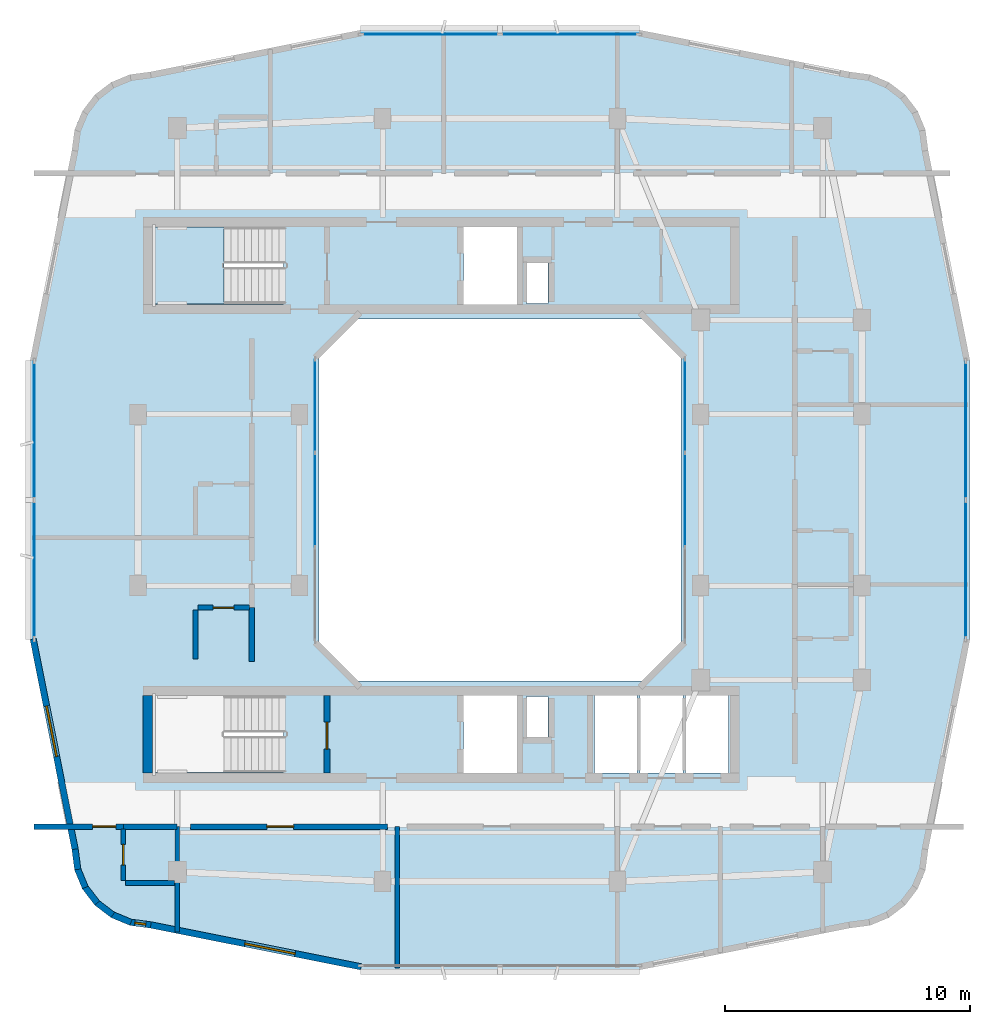
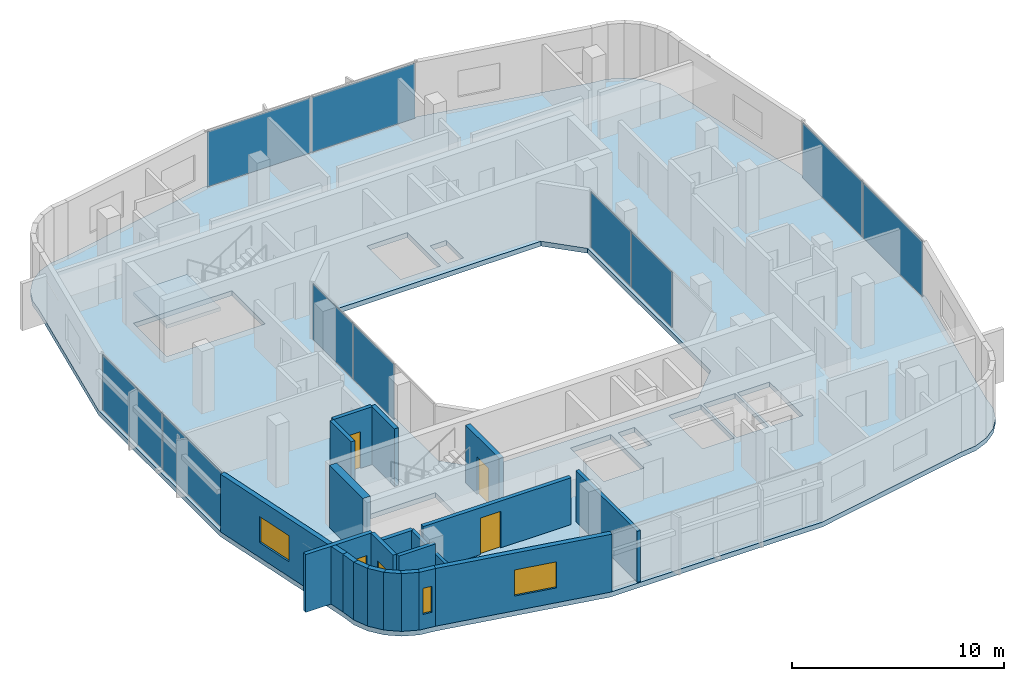
# One storey, part 6 of 14: 20 walls, 10 plates, 5 doors, 3 windows, 2 slabs, 8 openings, 6 elements without a shape of their own.
"""IFC4 building model written with IfcOpenShell, lengths in metres."""

from ifc_helpers import new_model, si_unit, derived_unit, direction, frame, frame_2d, origin, origin_2d, place, context, subcontext, project, spatial, polyline, rectangle, outline, extrude, material, layer, layer_set, type_object, element, fill, aggregate, save


model = new_model("IFC4")

# Units and contexts
model_context = context("Model", 3, precision=1e-05, world=origin(), true_north=direction((0.0, 1.0)))
body_context = subcontext(model_context, "Body", "Model", "MODEL_VIEW")
ifc_project = project(units=[si_unit("LENGTHUNIT", "METRE"), si_unit("AREAUNIT", "SQUARE_METRE"), si_unit("VOLUMEUNIT", "CUBIC_METRE"), si_unit("PLANEANGLEUNIT", "RADIAN"), si_unit("MASSUNIT", "GRAM", prefix="KILO"), derived_unit("THERMALTRANSMITTANCEUNIT", [(si_unit("POWERUNIT", "WATT"), 1), (si_unit("LENGTHUNIT", "METRE"), -2), (si_unit("THERMODYNAMICTEMPERATUREUNIT", "KELVIN"), -1)])], contexts=[model_context])

# Site, building, storey
site_placement = place(None, origin())
site = spatial("IfcSite", under=ifc_project, at=site_placement, CompositionType="ELEMENT")
building_placement = place(site_placement, origin())
building = spatial("IfcBuilding", under=site, at=building_placement, Name="Kivonza Crest Hotel", CompositionType="ELEMENT")
storey_placement = place(building_placement, frame((0.0, 0.0, 209.89990234375)))
storey = spatial("IfcBuildingStorey", under=building, at=storey_placement, Name="L57", CompositionType="ELEMENT", Elevation=209.89990234375)

# Curtain wall, plates
ifc_material_1 = material(Name="Anodised bronze aluminium and low-E double glazing", Category="aluminium")
ifc_layer_1 = layer(ifc_material_1, 0.159912109375)
ifc_layer_set_1 = layer_set([ifc_layer_1], Name="Anodised bronze aluminium and low-E double glazing")
curtain_wall_type_1 = type_object("IfcCurtainWallType", Name="CW-SYS-5", PredefinedType="NOTDEFINED", material=ifc_layer_set_1)
curtain_wall_1_placement = place(storey_placement, origin())
curtain_wall_1 = element("IfcCurtainWall", 1, at=curtain_wall_1_placement, inside=storey, type_object=curtain_wall_type_1, Name="L57 unitised curtain wall CW-WELL-T1-L57-3", PredefinedType="NOTDEFINED")
ifc_material_2 = material(Name="Solar-control low-E double glazing", Category="glass")
ifc_layer_2 = layer(ifc_material_2, 0.028076171875)
ifc_layer_set_2 = layer_set([ifc_layer_2], Name="Solar-control low-E double glazing")
plate_type_1 = type_object("IfcPlateType", Name="CW-PNL-28", PredefinedType="CURTAIN_PANEL", material=ifc_layer_set_2)
plate_1_placement = place(storey_placement, frame((28.56005859375, 25.0, 0.065185546875), z_axis=(0.0, 0.0, 1.0), x_axis=(0.0, 1.0, 0.0)))
plate_1 = element("IfcPlate", 2, at=plate_1_placement, type_object=plate_type_1, Name="CW-5 panel 2.1", PredefinedType="CURTAIN_PANEL", context=body_context, shape_type="SweptSolid", body=[
    extrude(rectangle(XDim=3.8017578125, YDim=0.028076171875, at=origin_2d()), origin(), (0.0, 0.0, 1.0), 3.18994140625),
])
plate_2_placement = place(storey_placement, frame((28.56005859375, 28.850341796875, 0.065185546875), z_axis=(0.0, 0.0, 1.0), x_axis=(0.0, 1.0, 0.0)))
plate_2 = element("IfcPlate", 3, at=plate_2_placement, type_object=plate_type_1, Name="CW-5 panel 3.1", PredefinedType="CURTAIN_PANEL", context=body_context, shape_type="SweptSolid", body=[
    extrude(rectangle(XDim=3.769287109375, YDim=0.028076171875, at=origin_2d()), origin(), (0.0, 0.0, 1.0), 3.18994140625),
])
aggregate(curtain_wall_1, [plate_1, plate_2])

curtain_wall_2_placement = place(storey_placement, origin())
curtain_wall_2 = element("IfcCurtainWall", 4, at=curtain_wall_2_placement, inside=storey, type_object=curtain_wall_type_1, Name="L57 unitised curtain wall CW-WELL-T1-L57-7", PredefinedType="NOTDEFINED")
plate_3_placement = place(storey_placement, frame((13.43994140625, 28.850341796875, 0.065185546875), z_axis=(0.0, 0.0, 1.0), x_axis=(0.0, -1.0, 0.0)))
plate_3 = element("IfcPlate", 5, at=plate_3_placement, type_object=plate_type_1, Name="CW-5 panel 1.1", PredefinedType="CURTAIN_PANEL", context=body_context, shape_type="SweptSolid", body=[
    extrude(rectangle(XDim=3.769287109375, YDim=0.028076171875, at=origin_2d()), origin(), (0.0, 0.0, 1.0), 3.18994140625),
])
plate_4_placement = place(storey_placement, frame((13.43994140625, 25.0, 0.065185546875), z_axis=(0.0, 0.0, 1.0), x_axis=(0.0, -1.0, 0.0)))
plate_4 = element("IfcPlate", 6, at=plate_4_placement, type_object=plate_type_1, Name="CW-5 panel 2.1", PredefinedType="CURTAIN_PANEL", context=body_context, shape_type="SweptSolid", body=[
    extrude(rectangle(XDim=3.8017578125, YDim=0.028076171875, at=origin_2d()), origin(), (0.0, 0.0, 1.0), 3.18994140625),
])
aggregate(curtain_wall_2, [plate_3, plate_4])

ifc_layer_3 = layer(ifc_material_1, 0.179931640625)
ifc_layer_set_3 = layer_set([ifc_layer_3], Name="Anodised bronze aluminium and low-E double glazing")
curtain_wall_type_2 = type_object("IfcCurtainWallType", Name="CW-SYS-3", PredefinedType="NOTDEFINED", material=ifc_layer_set_3)
curtain_wall_3_placement = place(storey_placement, origin())
curtain_wall_3 = element("IfcCurtainWall", 7, at=curtain_wall_3_placement, inside=storey, type_object=curtain_wall_type_2, Name="L57 unitised curtain wall CW-T1-L57-17", PredefinedType="NOTDEFINED")
ifc_material_3 = material(Name="Acoustic triple-laminated low-E glazing", Category="glass")
ifc_layer_4 = layer(ifc_material_3, 0.035888671875)
ifc_layer_set_4 = layer_set([ifc_layer_4], Name="Acoustic triple-laminated low-E glazing")
plate_type_2 = type_object("IfcPlateType", Name="CW-PNL-36", PredefinedType="CURTAIN_PANEL", material=ifc_layer_set_4)
plate_5_placement = place(storey_placement, frame((40.0400390625, 22.15869140625, 0.0751953125), z_axis=(0.0, 0.0, 1.0), x_axis=(0.0, 1.0, 0.0)))
plate_5 = element("IfcPlate", 8, at=plate_5_placement, type_object=plate_type_2, Name="CW-3 panel 1.1", PredefinedType="CURTAIN_PANEL", context=body_context, shape_type="SweptSolid", body=[
    extrude(rectangle(XDim=5.607421875, YDim=0.035888671875, at=origin_2d()), origin(), (0.0, 0.0, 1.0), 3.169921875),
])
plate_6_placement = place(storey_placement, frame((40.0400390625, 27.84130859375, 0.0751953125), z_axis=(0.0, 0.0, 1.0), x_axis=(0.0, 1.0, 0.0)))
plate_6 = element("IfcPlate", 9, at=plate_6_placement, type_object=plate_type_2, Name="CW-3 panel 2.1", PredefinedType="CURTAIN_PANEL", context=body_context, shape_type="SweptSolid", body=[
    extrude(rectangle(XDim=5.607421875, YDim=0.035888671875, at=origin_2d()), origin(), (0.0, 0.0, 1.0), 3.169921875),
])
aggregate(curtain_wall_3, [plate_5, plate_6])

curtain_wall_4_placement = place(storey_placement, origin())
curtain_wall_4 = element("IfcCurtainWall", 10, at=curtain_wall_4_placement, inside=storey, type_object=curtain_wall_type_2, Name="L57 unitised curtain wall CW-T1-L57-26", PredefinedType="NOTDEFINED")
plate_7_placement = place(storey_placement, frame((23.84130859375, 44.0400390625, 0.0751953125), z_axis=(0.0, 0.0, 1.0), x_axis=(-1.0, 0.0, 0.0)))
plate_7 = element("IfcPlate", 11, at=plate_7_placement, type_object=plate_type_2, Name="CW-3 panel 1.1", PredefinedType="CURTAIN_PANEL", context=body_context, shape_type="SweptSolid", body=[
    extrude(rectangle(XDim=5.607421875, YDim=0.035888671875, at=origin_2d()), origin(), (0.0, 0.0, 1.0), 3.169921875),
])
plate_8_placement = place(storey_placement, frame((18.15869140625, 44.0400390625, 0.0751953125), z_axis=(0.0, 0.0, 1.0), x_axis=(-1.0, 0.0, 0.0)))
plate_8 = element("IfcPlate", 12, at=plate_8_placement, type_object=plate_type_2, Name="CW-3 panel 2.1", PredefinedType="CURTAIN_PANEL", context=body_context, shape_type="SweptSolid", body=[
    extrude(rectangle(XDim=5.607421875, YDim=0.035888671875, at=origin_2d()), origin(), (0.0, 0.0, 1.0), 3.169921875),
])
aggregate(curtain_wall_4, [plate_7, plate_8])

curtain_wall_5_placement = place(storey_placement, origin())
curtain_wall_5 = element("IfcCurtainWall", 13, at=curtain_wall_5_placement, inside=storey, type_object=curtain_wall_type_2, Name="L57 unitised curtain wall CW-T1-L57-35", PredefinedType="NOTDEFINED")
plate_9_placement = place(storey_placement, frame((1.9599609375, 27.84130859375, 0.0751953125), z_axis=(0.0, 0.0, 1.0), x_axis=(0.0, -1.0, 0.0)))
plate_9 = element("IfcPlate", 14, at=plate_9_placement, type_object=plate_type_2, Name="CW-3 panel 1.1", PredefinedType="CURTAIN_PANEL", context=body_context, shape_type="SweptSolid", body=[
    extrude(rectangle(XDim=5.607421875, YDim=0.035888671875, at=origin_2d()), origin(), (0.0, 0.0, 1.0), 3.169921875),
])
plate_10_placement = place(storey_placement, frame((1.9599609375, 22.15869140625, 0.0751953125), z_axis=(0.0, 0.0, 1.0), x_axis=(0.0, -1.0, 0.0)))
plate_10 = element("IfcPlate", 15, at=plate_10_placement, type_object=plate_type_2, Name="CW-3 panel 2.1", PredefinedType="CURTAIN_PANEL", context=body_context, shape_type="SweptSolid", body=[
    extrude(rectangle(XDim=5.607421875, YDim=0.035888671875, at=origin_2d()), origin(), (0.0, 0.0, 1.0), 3.169921875),
])
aggregate(curtain_wall_5, [plate_9, plate_10])

# Slab
ifc_material_4 = material(Name="Concrete C40/50", Category="concrete")
ifc_layer_5 = layer(ifc_material_4, 0.280029296875)
ifc_layer_set_5 = layer_set([ifc_layer_5], Name="Concrete C40/50")
slab_type_1 = type_object("IfcSlabType", Name="SL-HTL-280", PredefinedType="FLOOR", material=ifc_layer_set_5)
slab_1_placement = place(storey_placement, frame((0.0, 0.0, -0.27978515625)))
element("IfcSlab", 16, at=slab_1_placement, inside=storey, type_object=slab_type_1, Name="Tower T1 L57 floor slab", PredefinedType="FLOOR", context=body_context, shape_type="SweptSolid", body=[
    extrude(outline(polyline([(3.5, 10.699951171875), (3.60888671875, 9.8720703125), (3.928955078125, 9.10009765625), (4.43701171875, 8.43701171875), (5.10009765625, 7.928955078125), (5.8720703125, 7.60888671875), (6.699951171875, 7.5), (15.239990234375, 5.800048828125), (26.760009765625, 5.800048828125), (35.300048828125, 7.5), (36.1279296875, 7.60888671875), (36.89990234375, 7.928955078125), (37.56298828125, 8.43701171875), (38.071044921875, 9.10009765625), (38.39111328125, 9.8720703125), (38.5, 10.699951171875), (40.199951171875, 19.239990234375), (40.199951171875, 30.760009765625), (38.5, 39.300048828125), (38.39111328125, 40.1279296875), (38.071044921875, 40.89990234375), (37.56298828125, 41.56298828125), (36.89990234375, 42.071044921875), (36.1279296875, 42.39111328125), (35.300048828125, 42.5), (26.760009765625, 44.199951171875), (15.239990234375, 44.199951171875), (6.699951171875, 42.5), (5.8720703125, 42.39111328125), (5.10009765625, 42.071044921875), (4.43701171875, 41.56298828125), (3.928955078125, 40.89990234375), (3.60888671875, 40.1279296875), (3.5, 39.300048828125), (1.800048828125, 30.760009765625), (1.800048828125, 19.239990234375), (3.5, 10.699951171875)]), holes=[polyline([(15.199951171875, 17.60009765625), (26.800048828125, 17.60009765625), (28.39990234375, 19.199951171875), (28.39990234375, 30.800048828125), (26.800048828125, 32.39990234375), (15.199951171875, 32.39990234375), (13.60009765625, 30.800048828125), (13.60009765625, 19.199951171875), (15.199951171875, 17.60009765625)]), polyline([(6.800048828125, 33.02001953125), (12.159912109375, 33.02001953125), (12.159912109375, 36.159912109375), (6.800048828125, 36.159912109375), (6.800048828125, 33.02001953125)]), polyline([(6.800048828125, 13.860107421875), (12.159912109375, 13.860107421875), (12.159912109375, 17.0), (6.800048828125, 17.0), (6.800048828125, 13.860107421875)]), polyline([(22.080078125, 33.0400390625), (22.969970703125, 33.0400390625), (22.969970703125, 34.679931640625), (22.080078125, 34.679931640625), (22.080078125, 33.0400390625)]), polyline([(22.080078125, 15.320068359375), (22.969970703125, 15.320068359375), (22.969970703125, 16.9599609375), (22.080078125, 16.9599609375), (22.080078125, 15.320068359375)]), polyline([(19.5, 33.0), (21.699951171875, 33.0), (21.699951171875, 36.159912109375), (19.5, 36.159912109375), (19.5, 33.0)]), polyline([(19.5, 13.840087890625), (21.699951171875, 13.840087890625), (21.699951171875, 17.0), (19.5, 17.0), (19.5, 13.840087890625)]), polyline([(24.860107421875, 13.840087890625), (26.60693359375, 13.840087890625), (26.60693359375, 17.0), (24.860107421875, 17.0), (24.860107421875, 13.840087890625)]), polyline([(26.72705078125, 13.840087890625), (28.472900390625, 13.840087890625), (28.472900390625, 17.0), (26.72705078125, 17.0), (26.72705078125, 13.840087890625)]), polyline([(28.593017578125, 13.840087890625), (30.340087890625, 13.840087890625), (30.340087890625, 17.0), (28.593017578125, 17.0), (28.593017578125, 13.840087890625)])]), origin(), (0.0, 0.0, 1.0), 0.27978515625),
])

# Stair, slab
stair_type = type_object("IfcStairType", Name="ST-DL-20R", PredefinedType="HALF_TURN_STAIR", material=ifc_material_4)
stair_placement = place(storey_placement, origin())
stair = element("IfcStair", 17, at=stair_placement, inside=storey, type_object=stair_type, Name="L57 Protected Exit Stair ST-T1-N", PredefinedType="HALF_TURN_STAIR")
ifc_layer_6 = layer(ifc_material_4, 0.199951171875)
ifc_layer_set_6 = layer_set([ifc_layer_6], Name="Concrete C40/50")
slab_type_2 = type_object("IfcSlabType", Name="SL-LAND-200", PredefinedType="LANDING", material=ifc_layer_set_6)
slab_2_placement = place(storey_placement, frame((0.0, 0.0, 1.60009765625)))
slab_2 = element("IfcSlab", 18, at=slab_2_placement, type_object=slab_type_2, Name="ST-T1-N landing 1", PredefinedType="LANDING", context=body_context, shape_type="SweptSolid", body=[
    extrude(outline(polyline([(9.719970703125, 36.159912109375), (6.800048828125, 36.159912109375), (6.800048828125, 33.02001953125), (9.719970703125, 33.02001953125), (9.719970703125, 36.159912109375)])), origin(), (0.0, 0.0, 1.0), 0.199951171875),
])
aggregate(stair, [slab_2])

# Walls
ifc_material_5 = material(Name="High-density acoustic masonry inter-tenancy wall", Category="masonry")
ifc_layer_7 = layer(ifc_material_5, 0.179931640625)
ifc_layer_set_7 = layer_set([ifc_layer_7], Name="High-density acoustic masonry inter-tenancy wall")
wall_type_1 = type_object("IfcWallType", Name="WL-ACOU-180", PredefinedType="SOLIDWALL", material=ifc_layer_set_7)
wall_1_placement = place(storey_placement, frame((7.800048828125, 7.342041015625, 0.0), z_axis=(0.0, 0.0, 1.0), x_axis=(0.0, 1.0, 0.0)))
element("IfcWall", 19, at=wall_1_placement, inside=storey, type_object=wall_type_1, Name="L57 interior partition WA-L57-T1S-DIV1", PredefinedType="SOLIDWALL", context=body_context, shape_type="SweptSolid", body=[
    extrude(rectangle(XDim=4.307861328125, YDim=0.179931640625, at=frame_2d((2.15380859375, 0.0))), origin(), (0.0, 0.0, 1.0), 2.695068359375),
])
wall_2_placement = place(storey_placement, frame((16.800048828125, 5.860107421875, 0.0), z_axis=(0.0, 0.0, 1.0), x_axis=(0.0, 1.0, 0.0)))
element("IfcWall", 20, at=wall_2_placement, inside=storey, type_object=wall_type_1, Name="L57 interior partition WA-L57-T1S-SPDIV1", PredefinedType="SOLIDWALL", context=body_context, shape_type="SweptSolid", body=[
    extrude(rectangle(XDim=5.789794921875, YDim=0.179931640625, at=frame_2d((2.89501953125, 0.0))), origin(), (0.0, 0.0, 1.0), 2.93505859375),
])
ifc_material_6 = material(Name="Autoclaved aerated concrete blockwork", Category="masonry")
ifc_layer_8 = layer(ifc_material_6, 0.219970703125)
ifc_layer_set_8 = layer_set([ifc_layer_8], Name="Autoclaved aerated concrete blockwork")
wall_type_2 = type_object("IfcWallType", Name="WL-ACOU-220", PredefinedType="SOLIDWALL", material=ifc_layer_set_8)
wall_3_placement = place(storey_placement, frame((5.60009765625, 11.64990234375, 0.0), z_axis=(0.0, 0.0, 1.0), x_axis=(1.0, 0.0, 0.0)))
element("IfcWall", 21, at=wall_3_placement, inside=storey, type_object=wall_type_2, Name="L57 interior partition WA-L57-S02-BCORR", PredefinedType="SOLIDWALL", context=body_context, shape_type="SweptSolid", body=[
    extrude(rectangle(XDim=2.199951171875, YDim=0.219970703125, at=frame_2d((1.10009765625, 0.0))), origin(), (0.0, 0.0, 1.0), 2.695068359375),
])

# Wall, opening, door
wall_4_placement = place(storey_placement, frame((1.9599609375, 11.64990234375, 0.0), z_axis=(0.0, 0.0, 1.0), x_axis=(1.0, 0.0, 0.0)))
wall_4 = element("IfcWall", 22, at=wall_4_placement, inside=storey, type_object=wall_type_2, Name="L57 interior partition WA-L57-S02-MCORR", PredefinedType="SOLIDWALL", context=body_context, shape_type="SweptSolid", body=[
    extrude(rectangle(XDim=3.64013671875, YDim=0.219970703125, at=frame_2d((1.820068359375, 0.0))), origin(), (0.0, 0.0, 1.0), 3.320068359375),
])
opening_1_placement = place(wall_4_placement, frame((2.389892578125, 0.0, 0.0)))
opening_1 = element("IfcOpeningElement", 23, at=opening_1_placement, cuts=wall_4, Name="Opening DU-60", PredefinedType="OPENING", context=body_context, shape_type="SweptSolid", body=[
    extrude(rectangle(XDim=0.949951171875, YDim=2.10009765625, at=frame_2d((0.47509765625, 1.050048828125))), frame((0.0, 0.1201171875, 0.0), z_axis=(0.0, -1.0, 0.0), x_axis=(1.0, 0.0, 0.0)), (0.0, 0.0, 1.0), 0.239990234375),
])
ifc_material_7 = material(Name="Hardwood timber oak", Category="wood")
door_type_1 = type_object("IfcDoorType", Name="DR-UNIT-950", OperationType="NOTDEFINED", PredefinedType="DOOR", material=ifc_material_7)
door_1_placement = place(opening_1_placement, frame((0.949951171875, 0.0, 0.0), z_axis=(0.0, 0.0, 1.0), x_axis=(-1.0, 0.0, 0.0)))
door_1 = element("IfcDoor", 24, at=door_1_placement, inside=storey, type_object=door_type_1, Name="L57 S02 guest unit entrance fire door", OperationType="SINGLE_SWING_RIGHT", OverallHeight=2.10009765625, OverallWidth=0.949951171875, PredefinedType="DOOR", context=body_context, shape_type="SweptSolid", body=[
    extrude(rectangle(XDim=0.949951171875, YDim=2.10009765625, at=frame_2d((0.47509765625, 1.050048828125))), frame((0.0, 0.02490234375, 0.0), z_axis=(0.0, -1.0, 0.0), x_axis=(1.0, 0.0, 0.0)), (0.0, 0.0, 1.0), 0.050048828125),
])
fill(opening_1, door_1)

wall_5_placement = place(storey_placement, frame((8.35009765625, 11.64990234375, 0.0), z_axis=(0.0, 0.0, 1.0), x_axis=(1.0, 0.0, 0.0)))
wall_5 = element("IfcWall", 25, at=wall_5_placement, inside=storey, type_object=wall_type_2, Name="L57 interior partition WA-L57-Z4-SKIT1A-N", PredefinedType="SOLIDWALL", context=body_context, shape_type="SweptSolid", body=[
    extrude(rectangle(XDim=8.0498046875, YDim=0.219970703125, at=frame_2d((4.02490234375, 0.0))), origin(), (0.0, 0.0, 1.0), 2.695068359375),
])
opening_2_placement = place(wall_5_placement, frame((3.117919921875, 0.0, 0.0)))
opening_2 = element("IfcOpeningElement", 26, at=opening_2_placement, cuts=wall_5, Name="Opening DF-60M", PredefinedType="OPENING", context=body_context, shape_type="SweptSolid", body=[
    extrude(rectangle(XDim=1.10009765625, YDim=2.10009765625, at=frame_2d((0.550048828125, 1.050048828125))), frame((0.0, 0.1201171875, 0.0), z_axis=(0.0, -1.0, 0.0), x_axis=(1.0, 0.0, 0.0)), (0.0, 0.0, 1.0), 0.239990234375),
])
door_type_2 = type_object("IfcDoorType", Name="DR-FD60-1100", OperationType="NOTDEFINED", PredefinedType="DOOR", material=ifc_material_7)
door_2_placement = place(opening_2_placement, frame((1.10009765625, 0.0, 0.0), z_axis=(0.0, 0.0, 1.0), x_axis=(-1.0, 0.0, 0.0)))
door_2 = element("IfcDoor", 27, at=door_2_placement, inside=storey, type_object=door_type_2, Name="L57 Upper Zone Chef Demonstration Kitchen door", OperationType="SINGLE_SWING_RIGHT", OverallHeight=2.10009765625, OverallWidth=1.10009765625, PredefinedType="DOOR", context=body_context, shape_type="SweptSolid", body=[
    extrude(rectangle(XDim=1.10009765625, YDim=2.10009765625, at=frame_2d((0.550048828125, 1.050048828125))), frame((0.0, 0.02490234375, 0.0), z_axis=(0.0, -1.0, 0.0), x_axis=(1.0, 0.0, 0.0)), (0.0, 0.0, 1.0), 0.050048828125),
])
fill(opening_2, door_2)

# Walls
wall_6_placement = place(storey_placement, frame((10.85009765625, 18.39990234375, 0.0), z_axis=(0.0, 0.0, 1.0), x_axis=(0.0, 1.0, 0.0)))
element("IfcWall", 28, at=wall_6_placement, inside=storey, type_object=wall_type_2, Name="L57 interior partition WA-L57-W03-BCORR", PredefinedType="SOLIDWALL", context=body_context, shape_type="SweptSolid", body=[
    extrude(rectangle(XDim=2.2001953125, YDim=0.219970703125, at=frame_2d((1.10009765625, 0.0))), origin(), (0.0, 0.0, 1.0), 3.320068359375),
])
ifc_material_8 = material(Name="Concrete C50/60", Category="concrete")
ifc_layer_9 = layer(ifc_material_8, 0.39990234375)
ifc_layer_set_9 = layer_set([ifc_layer_9], Name="Concrete C50/60")
wall_type_3 = type_object("IfcWallType", Name="WL-CORE-400", PredefinedType="SHEAR", material=ifc_layer_set_9)
wall_7_placement = place(storey_placement, frame((6.60009765625, 13.840087890625, 0.0), z_axis=(0.0, 0.0, 1.0), x_axis=(0.0, 1.0, 0.0)))
element("IfcWall", 29, at=wall_7_placement, inside=storey, type_object=wall_type_3, Name="Core wall T1-S West L57", PredefinedType="SHEAR", context=body_context, shape_type="SweptSolid", body=[
    extrude(rectangle(XDim=3.159912109375, YDim=0.39990234375, at=frame_2d((1.580078125, 0.0))), origin(), (0.0, 0.0, 1.0), 3.60009765625),
])
ifc_material_9 = material(Name="Precast concrete C40/50", Category="concrete")
ifc_layer_10 = layer(ifc_material_9, 0.260009765625)
ifc_layer_set_10 = layer_set([ifc_layer_10], Name="Precast concrete C40/50")
wall_type_4 = type_object("IfcWallType", Name="WL-EXT-260", PredefinedType="STANDARD", material=ifc_layer_set_10)
wall_8_placement = place(storey_placement, frame((3.6279296875, 10.72509765625, 0.0), z_axis=(0.0, 0.0, 1.0), x_axis=(0.130954667764, -0.9913883573, 0.0)))
element("IfcWall", 30, at=wall_8_placement, inside=storey, type_object=wall_type_4, Name="L57 T1 exterior insulated wall 1", PredefinedType="STANDARD", context=body_context, shape_type="SweptSolid", body=[
    extrude(rectangle(XDim=0.833251953125, YDim=0.260009765625, at=frame_2d((0.41650390625, 0.0))), origin(), (0.0, 0.0, 1.0), 3.320068359375),
])
wall_9_placement = place(storey_placement, frame((3.718994140625, 9.945068359375, 0.0), z_axis=(0.0, 0.0, 1.0), x_axis=(0.382985169477, -0.923754491172, 0.0)))
element("IfcWall", 31, at=wall_9_placement, inside=storey, type_object=wall_type_4, Name="L57 T1 exterior insulated wall 2", PredefinedType="STANDARD", context=body_context, shape_type="SweptSolid", body=[
    extrude(rectangle(XDim=0.85107421875, YDim=0.260009765625, at=frame_2d((0.425537109375, 0.0))), origin(), (0.0, 0.0, 1.0), 3.320068359375),
])
for number, where, z_axis, x_axis, name in (
    (32, (4.01708984375, 9.198974609375, 0.0), (0.0, 0.0, 1.0), (0.607918988881, -0.793999057278, 0.0), "L57 T1 exterior insulated wall 3"),
    (33, (4.49609375, 8.554931640625, 0.0), (0.0, 0.0, 1.0), (0.793892896323, -0.608057619941, 0.0), "L57 T1 exterior insulated wall 4"),
):
    element("IfcWall", number, at=place(storey_placement, frame(where, z_axis=z_axis, x_axis=x_axis)), inside=storey, type_object=wall_type_4, Name=name, PredefinedType="STANDARD", context=body_context, shape_type="SweptSolid", body=[
        extrude(rectangle(XDim=0.85009765625, YDim=0.260009765625, at=frame_2d((0.425048828125, 0.0))), origin(), (0.0, 0.0, 1.0), 3.320068359375),
    ])
wall_10_placement = place(storey_placement, frame((5.126953125, 8.05908203125, 0.0), z_axis=(0.0, 0.0, 1.0), x_axis=(0.923652976167, -0.383229930484, 0.0)))
element("IfcWall", 34, at=wall_10_placement, inside=storey, type_object=wall_type_4, Name="L57 T1 exterior insulated wall 5", PredefinedType="STANDARD", context=body_context, shape_type="SweptSolid", body=[
    extrude(rectangle(XDim=0.85107421875, YDim=0.260009765625, at=frame_2d((0.425537109375, 0.0))), origin(), (0.0, 0.0, 1.0), 3.320068359375),
])

# Wall, opening, window
wall_11_placement = place(storey_placement, frame((5.864013671875, 7.740966796875, 0.0), z_axis=(0.0, 0.0, 1.0), x_axis=(0.991493480548, -0.130156359936, 0.0)))
wall_11 = element("IfcWall", 35, at=wall_11_placement, inside=storey, type_object=wall_type_4, Name="L57 T1 exterior insulated wall 6", PredefinedType="STANDARD", context=body_context, shape_type="SweptSolid", body=[
    extrude(rectangle(XDim=0.868408203125, YDim=0.260009765625, at=frame_2d((0.43408203125, 0.0))), origin(), (0.0, 0.0, 1.0), 3.320068359375),
])
opening_3_placement = place(wall_11_placement, frame((0.208984375, 0.0, 0.85009765625)))
opening_3 = element("IfcOpeningElement", 36, at=opening_3_placement, cuts=wall_11, Name="Opening WN-11", PredefinedType="OPENING", context=body_context, shape_type="SweptSolid", body=[
    extrude(rectangle(XDim=0.449951171875, YDim=1.5, at=frame_2d((0.22509765625, 0.75))), frame((0.0, 0.14013671875, 0.0), z_axis=(0.0, -1.0, 0.0), x_axis=(1.0, 0.0, 0.0)), (0.0, 0.0, 1.0), 0.280029296875),
])
ifc_material_10 = material(Name="Thermally broken bronze aluminium and low-E double glazing", Category="aluminium")
window_type_1 = type_object("IfcWindowType", Name="WN-045x150", PartitioningType="SINGLE_PANEL", PredefinedType="WINDOW", material=ifc_material_10)
window_1_placement = place(opening_3_placement, origin())
window_1 = element("IfcWindow", 37, at=window_1_placement, inside=storey, type_object=window_type_1, Name="L57 corner vision window 1", OverallHeight=1.5, OverallWidth=0.449951171875, PartitioningType="SINGLE_PANEL", PredefinedType="WINDOW", context=body_context, shape_type="SweptSolid", body=[
    extrude(rectangle(XDim=0.449951171875, YDim=1.5, at=frame_2d((0.22509765625, 0.75))), frame((0.0, 0.030029296875, 0.0), z_axis=(0.0, -1.0, 0.0), x_axis=(1.0, 0.0, 0.0)), (0.0, 0.0, 1.0), 0.06005859375),
])
fill(opening_3, window_1)

wall_12_placement = place(storey_placement, frame((6.717041015625, 7.62890625, 0.0), z_axis=(0.0, 0.0, 1.0), x_axis=(0.980745199176, -0.195291715883, 0.0)))
wall_12 = element("IfcWall", 38, at=wall_12_placement, inside=storey, type_object=wall_type_4, Name="L57 T1 exterior insulated wall 7", PredefinedType="STANDARD", context=body_context, shape_type="SweptSolid", body=[
    extrude(rectangle(XDim=8.77099609375, YDim=0.260009765625, at=frame_2d((4.385498046875, 0.0))), origin(), (0.0, 0.0, 1.0), 3.320068359375),
])
opening_4_placement = place(wall_12_placement, frame((3.925048828125, 0.0, 0.85009765625)))
opening_4 = element("IfcOpeningElement", 39, at=opening_4_placement, cuts=wall_12, Name="Opening WN-04", PredefinedType="OPENING", context=body_context, shape_type="SweptSolid", body=[
    extrude(rectangle(XDim=2.10009765625, YDim=1.5, at=frame_2d((1.050048828125, 0.75))), frame((0.0, 0.14013671875, 0.0), z_axis=(0.0, -1.0, 0.0), x_axis=(1.0, 0.0, 0.0)), (0.0, 0.0, 1.0), 0.280029296875),
])
window_type_2 = type_object("IfcWindowType", Name="WN-210x150", PartitioningType="DOUBLE_PANEL_VERTICAL", PredefinedType="WINDOW", material=ifc_material_10)
window_2_placement = place(opening_4_placement, origin())
window_2 = element("IfcWindow", 40, at=window_2_placement, inside=storey, type_object=window_type_2, Name="L57 T1 facade window 7", OverallHeight=1.5, OverallWidth=2.10009765625, PartitioningType="SINGLE_PANEL", PredefinedType="WINDOW", context=body_context, shape_type="SweptSolid", body=[
    extrude(rectangle(XDim=2.10009765625, YDim=1.5, at=frame_2d((1.050048828125, 0.75))), frame((0.0, 0.030029296875, 0.0), z_axis=(0.0, -1.0, 0.0), x_axis=(1.0, 0.0, 0.0)), (0.0, 0.0, 1.0), 0.06005859375),
])
fill(opening_4, window_2)

wall_13_placement = place(storey_placement, frame((1.916015625, 19.319091796875, 0.0), z_axis=(0.0, 0.0, 1.0), x_axis=(0.195291715883, -0.980745199176, 0.0)))
wall_13 = element("IfcWall", 41, at=wall_13_placement, inside=storey, type_object=wall_type_4, Name="L57 T1 exterior insulated wall 36", PredefinedType="STANDARD", context=body_context, shape_type="SweptSolid", body=[
    extrude(rectangle(XDim=8.77099609375, YDim=0.260009765625, at=frame_2d((4.385498046875, 0.0))), origin(), (0.0, 0.0, 1.0), 3.320068359375),
])
opening_5_placement = place(wall_13_placement, frame((2.798095703125, 0.0, 0.85009765625)))
opening_5 = element("IfcOpeningElement", 42, at=opening_5_placement, cuts=wall_13, Name="Opening WN-04", PredefinedType="OPENING", context=body_context, shape_type="SweptSolid", body=[
    extrude(rectangle(XDim=2.10009765625, YDim=1.5, at=frame_2d((1.050048828125, 0.75))), frame((0.0, 0.14013671875, 0.0), z_axis=(0.0, -1.0, 0.0), x_axis=(1.0, 0.0, 0.0)), (0.0, 0.0, 1.0), 0.280029296875),
])
window_3_placement = place(opening_5_placement, origin())
window_3 = element("IfcWindow", 43, at=window_3_placement, inside=storey, type_object=window_type_2, Name="L57 T1 facade window 36", OverallHeight=1.5, OverallWidth=2.10009765625, PartitioningType="SINGLE_PANEL", PredefinedType="WINDOW", context=body_context, shape_type="SweptSolid", body=[
    extrude(rectangle(XDim=2.10009765625, YDim=1.5, at=frame_2d((1.050048828125, 0.75))), frame((0.0, 0.030029296875, 0.0), z_axis=(0.0, -1.0, 0.0), x_axis=(1.0, 0.0, 0.0)), (0.0, 0.0, 1.0), 0.06005859375),
])
fill(opening_5, window_3)

# Wall, opening, door
ifc_material_11 = material(Name="Moisture-resistant plumbing chase partition wall", Category="gypsum")
ifc_layer_11 = layer(ifc_material_11, 0.199951171875)
ifc_layer_set_11 = layer_set([ifc_layer_11], Name="Moisture-resistant plumbing chase partition wall")
wall_type_5 = type_object("IfcWallType", Name="WL-PLUMB-200", PredefinedType="PLUMBINGWALL", material=ifc_layer_set_11)
wall_14_placement = place(storey_placement, frame((5.60009765625, 9.449951171875, 0.0), z_axis=(0.0, 0.0, 1.0), x_axis=(0.0, 1.0, 0.0)))
wall_14 = element("IfcWall", 44, at=wall_14_placement, inside=storey, type_object=wall_type_5, Name="L57 interior partition WW-L57-S02-BV", PredefinedType="PLUMBINGWALL", context=body_context, shape_type="SweptSolid", body=[
    extrude(rectangle(XDim=2.10009765625, YDim=0.199951171875, at=frame_2d((1.050048828125, 0.0))), origin(), (0.0, 0.0, 1.0), 3.320068359375),
])
opening_6_placement = place(wall_14_placement, frame((0.625, 0.0, 0.0)))
opening_6 = element("IfcOpeningElement", 45, at=opening_6_placement, cuts=wall_14, Name="Opening DI-85", PredefinedType="OPENING", context=body_context, shape_type="SweptSolid", body=[
    extrude(rectangle(XDim=0.85009765625, YDim=2.10009765625, at=frame_2d((0.425048828125, 1.050048828125))), frame((0.0, 0.10986328125, 0.0), z_axis=(0.0, -1.0, 0.0), x_axis=(1.0, 0.0, 0.0)), (0.0, 0.0, 1.0), 0.219970703125),
])
door_type_3 = type_object("IfcDoorType", Name="DR-INT-850", OperationType="NOTDEFINED", PredefinedType="DOOR", material=ifc_material_7)
door_3_placement = place(opening_6_placement, origin())
door_3 = element("IfcDoor", 46, at=door_3_placement, inside=storey, type_object=door_type_3, Name="L57 S02 en-suite bathroom door", OperationType="SINGLE_SWING_LEFT", OverallHeight=2.10009765625, OverallWidth=0.85009765625, PredefinedType="DOOR", context=body_context, shape_type="SweptSolid", body=[
    extrude(rectangle(XDim=0.85009765625, YDim=2.10009765625, at=frame_2d((0.425048828125, 1.050048828125))), frame((0.0, 0.02490234375, 0.0), z_axis=(0.0, -1.0, 0.0), x_axis=(1.0, 0.0, 0.0)), (0.0, 0.0, 1.0), 0.050048828125),
])
fill(opening_6, door_3)

# Wall
wall_15_placement = place(storey_placement, frame((5.699951171875, 9.35009765625, 0.0), z_axis=(0.0, 0.0, 1.0), x_axis=(1.0, 0.0, 0.0)))
element("IfcWall", 47, at=wall_15_placement, inside=storey, type_object=wall_type_5, Name="L57 interior partition WW-L57-S02-BH", PredefinedType="PLUMBINGWALL", context=body_context, shape_type="SweptSolid", body=[
    extrude(rectangle(XDim=2.0, YDim=0.199951171875, at=frame_2d((1.0, 0.0))), origin(), (0.0, 0.0, 1.0), 3.320068359375),
])

# Wall, opening, door
wall_16_placement = place(storey_placement, frame((8.64990234375, 20.60009765625, 0.0), z_axis=(0.0, 0.0, 1.0), x_axis=(1.0, 0.0, 0.0)))
wall_16 = element("IfcWall", 48, at=wall_16_placement, inside=storey, type_object=wall_type_5, Name="L57 interior partition WW-L57-W03-BH", PredefinedType="PLUMBINGWALL", context=body_context, shape_type="SweptSolid", body=[
    extrude(rectangle(XDim=2.10009765625, YDim=0.199951171875, at=frame_2d((1.050048828125, 0.0))), origin(), (0.0, 0.0, 1.0), 3.320068359375),
])
opening_7_placement = place(wall_16_placement, frame((0.625, 0.0, 0.0)))
opening_7 = element("IfcOpeningElement", 49, at=opening_7_placement, cuts=wall_16, Name="Opening DI-85", PredefinedType="OPENING", context=body_context, shape_type="SweptSolid", body=[
    extrude(rectangle(XDim=0.85009765625, YDim=2.10009765625, at=frame_2d((0.425048828125, 1.050048828125))), frame((0.0, 0.10986328125, 0.0), z_axis=(0.0, -1.0, 0.0), x_axis=(1.0, 0.0, 0.0)), (0.0, 0.0, 1.0), 0.219970703125),
])
door_4_placement = place(opening_7_placement, origin())
door_4 = element("IfcDoor", 50, at=door_4_placement, inside=storey, type_object=door_type_3, Name="L57 W03 en-suite bathroom door", OperationType="SINGLE_SWING_RIGHT", OverallHeight=2.10009765625, OverallWidth=0.85009765625, PredefinedType="DOOR", context=body_context, shape_type="SweptSolid", body=[
    extrude(rectangle(XDim=0.85009765625, YDim=2.10009765625, at=frame_2d((0.425048828125, 1.050048828125))), frame((0.0, 0.02490234375, 0.0), z_axis=(0.0, -1.0, 0.0), x_axis=(1.0, 0.0, 0.0)), (0.0, 0.0, 1.0), 0.050048828125),
])
fill(opening_7, door_4)

# Wall
wall_17_placement = place(storey_placement, frame((8.550048828125, 18.5, 0.0), z_axis=(0.0, 0.0, 1.0), x_axis=(0.0, 1.0, 0.0)))
element("IfcWall", 51, at=wall_17_placement, inside=storey, type_object=wall_type_5, Name="L57 interior partition WW-L57-W03-BV", PredefinedType="PLUMBINGWALL", context=body_context, shape_type="SweptSolid", body=[
    extrude(rectangle(XDim=2.0, YDim=0.199951171875, at=frame_2d((1.0, 0.0))), origin(), (0.0, 0.0, 1.0), 3.320068359375),
])

# Wall, opening, door
ifc_layer_12 = layer(ifc_material_8, 0.25)
ifc_layer_set_12 = layer_set([ifc_layer_12], Name="Concrete C50/60")
wall_type_6 = type_object("IfcWallType", Name="WL-SHAFT-250", PredefinedType="STANDARD", material=ifc_layer_set_12)
wall_18_placement = place(storey_placement, frame((13.925048828125, 13.840087890625, 0.0), z_axis=(0.0, 0.0, 1.0), x_axis=(0.0, 1.0, 0.0)))
wall_18 = element("IfcWall", 52, at=wall_18_placement, inside=storey, type_object=wall_type_6, Name="Core shaft wall T1-S STAIR L57", PredefinedType="STANDARD", context=body_context, shape_type="SweptSolid", body=[
    extrude(rectangle(XDim=3.159912109375, YDim=0.25, at=frame_2d((1.580078125, 0.0))), origin(), (0.0, 0.0, 1.0), 3.320068359375),
])
opening_8_placement = place(wall_18_placement, frame((0.97998046875, 0.0, 0.0)))
opening_8 = element("IfcOpeningElement", 53, at=opening_8_placement, cuts=wall_18, Name="Opening DF-120", PredefinedType="OPENING", context=body_context, shape_type="SweptSolid", body=[
    extrude(rectangle(XDim=1.10009765625, YDim=2.14990234375, at=frame_2d((0.550048828125, 1.074951171875))), frame((0.0, 0.135009765625, 0.0), z_axis=(0.0, -1.0, 0.0), x_axis=(1.0, 0.0, 0.0)), (0.0, 0.0, 1.0), 0.27001953125),
])
ifc_material_12 = material(Name="Galvanised steel", Category="steel")
door_type_4 = type_object("IfcDoorType", Name="DR-FD120-1100", OperationType="NOTDEFINED", PredefinedType="DOOR", material=ifc_material_12)
door_5_placement = place(opening_8_placement, frame((1.10009765625, 0.0, 0.0), z_axis=(0.0, 0.0, 1.0), x_axis=(-1.0, 0.0, 0.0)))
door_5 = element("IfcDoor", 54, at=door_5_placement, inside=storey, type_object=door_type_4, Name="L57 T1-S stair fire door", OperationType="SINGLE_SWING_RIGHT", OverallHeight=2.14990234375, OverallWidth=1.10009765625, PredefinedType="DOOR", context=body_context, shape_type="SweptSolid", body=[
    extrude(rectangle(XDim=1.10009765625, YDim=2.14990234375, at=frame_2d((0.550048828125, 1.074951171875))), frame((0.0, 0.02490234375, 0.0), z_axis=(0.0, -1.0, 0.0), x_axis=(1.0, 0.0, 0.0)), (0.0, 0.0, 1.0), 0.050048828125),
])
fill(opening_8, door_5)

save(model, "model.ifc")
